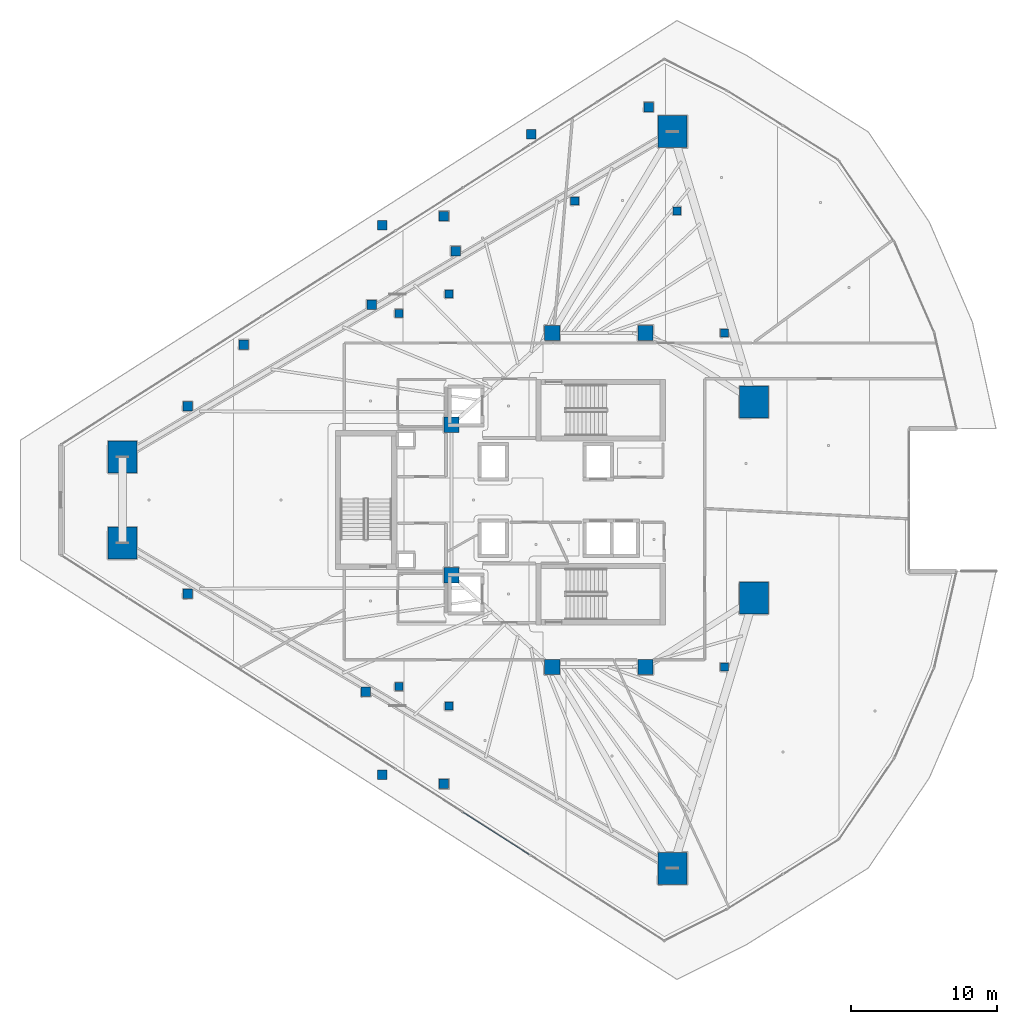
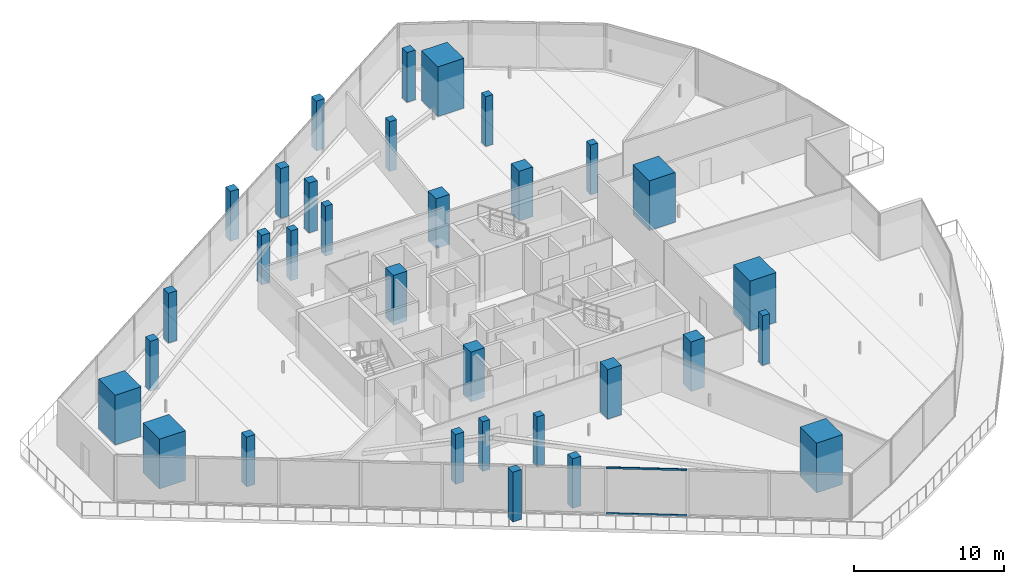
# One storey, part 1 of 40: 32 columns, 2 members, 1 element without a shape of its own.
"""IFC4 building model written with IfcOpenShell, lengths in metres."""

from ifc_helpers import new_model, si_unit, direction, frame, origin, origin_2d, place, context, subcontext, project, spatial, rectangle, hollow_rectangle, extrude, material, layer, layer_set, material_profile, profile_set, type_object, element, aggregate, save


model = new_model("IFC4")

# Units and contexts
model_context = context("Model", 3, precision=1e-05, world=origin(), true_north=direction((0.0, 1.0)))
body_context = subcontext(model_context, "Body", "Model", "MODEL_VIEW")
ifc_project = project(units=[si_unit("LENGTHUNIT", "METRE"), si_unit("AREAUNIT", "SQUARE_METRE"), si_unit("VOLUMEUNIT", "CUBIC_METRE"), si_unit("PLANEANGLEUNIT", "RADIAN"), si_unit("MASSUNIT", "GRAM", prefix="KILO")], contexts=[model_context])

# Site, building, storey
site_placement = place(None, origin())
site = spatial("IfcSite", under=ifc_project, at=site_placement, CompositionType="ELEMENT")
building_placement = place(site_placement, origin())
building = spatial("IfcBuilding", under=site, at=building_placement, Name="Qorvath Tower", CompositionType="ELEMENT")
storey_placement = place(building_placement, frame((0.0, 0.0, 138.14990234375)))
storey = spatial("IfcBuildingStorey", under=building, at=storey_placement, Name="L31", CompositionType="ELEMENT", Elevation=138.14990234375)

# Columns
ifc_material_1 = material(Name="Concrete C70/85", Category="concrete")
ifc_material_profile_1 = material_profile(ifc_material_1, rectangle(XDim=2.0, YDim=2.199951171875, at=origin_2d()), Name="MC 2200x2000")
ifc_profile_set_1 = profile_set([ifc_material_profile_1], Name="Concrete C70/85")
column_type_1 = type_object("IfcColumnType", Name="COL-MC2", PredefinedType="COLUMN", material=ifc_profile_set_1)
for number, where, z_axis, x_axis, name in (
    (1, (-53.04931640625, 2.95068359375, 0.0), (0.0, 0.0, 1.0), (1.0, 0.0, 0.0), "Composite Mega-Column MC1 L31"),
    (2, (-53.04931640625, -2.95068359375, 0.0), (0.0, 0.0, 1.0), (1.0, 0.0, 0.0), "Composite Mega-Column MC2 L31"),
    (3, (-15.34423828125, -25.24609375, 0.0), (0.0, 0.0, 1.0), (1.0, 0.0, 0.0), "Composite Mega-Column MC3 L31"),
    (4, (-9.770263671875, -6.721435546875, 0.0), (0.0, 0.0, 1.0), (1.0, 0.0, 0.0), "Composite Mega-Column MC4 L31"),
    (5, (-9.770263671875, 6.721435546875, 0.0), (0.0, 0.0, 1.0), (1.0, 0.0, 0.0), "Composite Mega-Column MC5 L31"),
    (6, (-15.34423828125, 25.24609375, 0.0), (0.0, 0.0, 1.0), (1.0, 0.0, 0.0), "Composite Mega-Column MC6 L31"),
):
    element("IfcColumn", number, at=place(storey_placement, frame(where, z_axis=z_axis, x_axis=x_axis)), inside=storey, type_object=column_type_1, Name=name, PredefinedType="COLUMN", context=body_context, shape_type="SweptSolid", body=[
        extrude(rectangle(XDim=2.0, YDim=2.199951171875, at=origin_2d()), origin(), (0.0, 0.0, 1.0), 4.050048828125),
    ])
ifc_material_2 = material(Name="Concrete C60/75", Category="concrete")
ifc_material_profile_2 = material_profile(ifc_material_2, rectangle(XDim=1.050048828125, YDim=1.050048828125, at=origin_2d()), Name="RC 1050x1050")
ifc_profile_set_2 = profile_set([ifc_material_profile_2], Name="Concrete C60/75")
column_type_2 = type_object("IfcColumnType", Name="COL-RC2", PredefinedType="COLUMN", material=ifc_profile_set_2)
for number, where, z_axis, x_axis, name in (
    (7, (-23.60009765625, 11.449951171875, 0.0), (0.0, 0.0, 1.0), (1.0, 0.0, 0.0), "Core Spine Column CC1 L31"),
    (8, (-17.199951171875, 11.449951171875, 0.0), (0.0, 0.0, 1.0), (1.0, 0.0, 0.0), "Core Spine Column CC2 L31"),
    (9, (-17.199951171875, -11.449951171875, 0.0), (0.0, 0.0, 1.0), (1.0, 0.0, 0.0), "Core Spine Column CC3 L31"),
    (10, (-23.60009765625, -11.449951171875, 0.0), (0.0, 0.0, 1.0), (1.0, 0.0, 0.0), "Core Spine Column CC4 L31"),
    (11, (-30.5, 5.14990234375, 0.0), (0.0, 0.0, 1.0), (1.0, 0.0, 0.0), "Core Spine Column CC5 L31"),
    (12, (-30.5, -5.14990234375, 0.0), (0.0, 0.0, 1.0), (1.0, 0.0, 0.0), "Core Spine Column CC6 L31"),
):
    element("IfcColumn", number, at=place(storey_placement, frame(where, z_axis=z_axis, x_axis=x_axis)), inside=storey, type_object=column_type_2, Name=name, PredefinedType="COLUMN", context=body_context, shape_type="SweptSolid", body=[
        extrude(rectangle(XDim=1.050048828125, YDim=1.050048828125, at=origin_2d()), origin(), (0.0, 0.0, 1.0), 4.050048828125),
    ])
ifc_material_3 = material(Name="Concrete C45/55", Category="concrete")
ifc_material_profile_3 = material_profile(ifc_material_3, rectangle(XDim=0.64990234375, YDim=0.64990234375, at=origin_2d()), Name="RC 650x650")
ifc_profile_set_3 = profile_set([ifc_material_profile_3], Name="Concrete C45/55")
column_type_3 = type_object("IfcColumnType", Name="COL-RC6", PredefinedType="COLUMN", material=ifc_profile_set_3)
for number, where, z_axis, x_axis, name in (
    (13, (-35.251708984375, 18.829345703125, 0.0), (0.0, 0.0, 1.0), (1.0, 0.0, 0.0), "Loggia Frame Pier Column LGC1 L31"),
    (14, (-35.251708984375, -18.829345703125, 0.0), (0.0, 0.0, 1.0), (1.0, 0.0, 0.0), "Loggia Frame Pier Column LGC2 L31"),
    (15, (-25.03759765625, 25.058837890625, 0.0), (0.0, 0.0, 1.0), (1.0, 0.0, 0.0), "Loggia Frame Pier Column LGC3 L31"),
    (16, (-31.01611328125, 19.46044921875, 0.0), (0.0, 0.0, 1.0), (1.0, 0.0, 0.0), "Loggia Frame Pier Column LGD1 L31"),
    (17, (-31.01611328125, -19.46044921875, 0.0), (0.0, 0.0, 1.0), (1.0, 0.0, 0.0), "Loggia Frame Pier Column LGD2 L31"),
    (18, (-44.736328125, 10.65234375, 0.0), (0.0, 0.0, 1.0), (1.0, 0.0, 0.0), "Loggia Frame Pier Column LGD3 L31"),
    (19, (-48.578369140625, 6.424560546875, 0.0), (0.0, 0.0, 1.0), (1.0, 0.0, 0.0), "Loggia Frame Pier Column LGE1 L31"),
    (20, (-48.578369140625, -6.424560546875, 0.0), (0.0, 0.0, 1.0), (1.0, 0.0, 0.0), "Loggia Frame Pier Column LGE2 L31"),
    (21, (-16.981201171875, 26.92919921875, 0.0), (0.0, 0.0, 1.0), (1.0, 0.0, 0.0), "Loggia Frame Pier Column LGE3 L31"),
    (22, (-35.980712890625, 13.380859375, 0.0), (0.0, 0.0, 1.0), (1.0, 0.0, 0.0), "Loggia Frame Pier Column LGF1 L31"),
    (23, (-36.36474609375, -13.135498046875, 0.0), (0.0, 0.0, 1.0), (1.0, 0.0, 0.0), "Loggia Frame Pier Column LGF2 L31"),
    (24, (-30.224853515625, 17.0595703125, 0.0), (0.0, 0.0, 1.0), (1.0, 0.0, 0.0), "Loggia Frame Pier Column LGF3 L31"),
):
    element("IfcColumn", number, at=place(storey_placement, frame(where, z_axis=z_axis, x_axis=x_axis)), inside=storey, type_object=column_type_3, Name=name, PredefinedType="COLUMN", context=body_context, shape_type="SweptSolid", body=[
        extrude(rectangle(XDim=0.64990234375, YDim=0.64990234375, at=origin_2d()), origin(), (0.0, 0.0, 1.0), 4.050048828125),
    ])
ifc_material_4 = material(Name="Concrete C45/55", Category="concrete")
ifc_material_profile_4 = material_profile(ifc_material_4, rectangle(XDim=0.550048828125, YDim=0.550048828125, at=origin_2d()), Name="RC 550x550")
ifc_profile_set_4 = profile_set([ifc_material_profile_4], Name="Concrete C45/55")
column_type_4 = type_object("IfcColumnType", Name="COL-RC7", PredefinedType="COLUMN", material=ifc_profile_set_4)
for number, where, z_axis, x_axis, name in (
    (25, (-34.104248046875, 12.79248046875, 0.0), (0.0, 0.0, 1.0), (1.0, 0.0, 0.0), "Loggia Frame Pier Column LGG1 L31"),
    (26, (-34.104248046875, -12.79248046875, 0.0), (0.0, 0.0, 1.0), (1.0, 0.0, 0.0), "Loggia Frame Pier Column LGG2 L31"),
    (27, (-22.05322265625, 20.494873046875, 0.0), (0.0, 0.0, 1.0), (1.0, 0.0, 0.0), "Loggia Frame Pier Column LGG3 L31"),
    (28, (-30.67724609375, 14.124267578125, 0.0), (0.0, 0.0, 1.0), (1.0, 0.0, 0.0), "Loggia Frame Pier Column LGH1 L31"),
    (29, (-30.67724609375, -14.124267578125, 0.0), (0.0, 0.0, 1.0), (1.0, 0.0, 0.0), "Loggia Frame Pier Column LGH2 L31"),
    (30, (-15.046142578125, 19.818115234375, 0.0), (0.0, 0.0, 1.0), (1.0, 0.0, 0.0), "Loggia Frame Pier Column LGH3 L31"),
    (31, (-11.800048828125, -11.449951171875, 0.0), (0.0, 0.0, 1.0), (1.0, 0.0, 0.0), "Central Slot Jamb Column SC1 L31"),
    (32, (-11.800048828125, 11.449951171875, 0.0), (0.0, 0.0, 1.0), (1.0, 0.0, 0.0), "Central Slot Jamb Column SC2 L31"),
):
    element("IfcColumn", number, at=place(storey_placement, frame(where, z_axis=z_axis, x_axis=x_axis)), inside=storey, type_object=column_type_4, Name=name, PredefinedType="COLUMN", context=body_context, shape_type="SweptSolid", body=[
        extrude(rectangle(XDim=0.550048828125, YDim=0.550048828125, at=origin_2d()), origin(), (0.0, 0.0, 1.0), 4.050048828125),
    ])

# Curtain wall, members
ifc_material_5 = material(Name="Anodised aluminium and triple low-E glass", Category="aluminium")
ifc_layer = layer(ifc_material_5, 0.179931640625)
ifc_layer_set = layer_set([ifc_layer], Name="CW-SYS-3")
curtain_wall_type = type_object("IfcCurtainWallType", Name="CW-SYS-3", PredefinedType="NOTDEFINED", material=ifc_layer_set)
curtain_wall_placement = place(storey_placement, origin())
curtain_wall = element("IfcCurtainWall", 33, at=curtain_wall_placement, inside=storey, type_object=curtain_wall_type, Name="Curtain Wall CW-3 CW-T-L31-2.1", PredefinedType="NOTDEFINED")
ifc_material_6 = material(Name="Anodised aluminium 6063-T6", Category="aluminium")
ifc_material_profile_5 = material_profile(ifc_material_6, hollow_rectangle(XDim=0.06494140625, YDim=0.159912109375, WallThickness=0.00341796875, InnerFilletRadius=0.00341796875, OuterFilletRadius=0.007080078125, at=origin_2d()), Name="CWT 160x65")
ifc_profile_set_5 = profile_set([ifc_material_profile_5], Name="Anodised aluminium 6063-T6")
member_type = type_object("IfcMemberType", Name="CWT-160", PredefinedType="USERDEFINED", material=ifc_profile_set_5)
member_1_placement = place(storey_placement, frame((-29.688720703125, -21.41455078125, 0.032470703125), z_axis=(0.842602030071, -0.538536738691, 0.0), x_axis=(0.538536738691, 0.842602030071, 0.0)))
member_1 = element("IfcMember", 34, at=member_1_placement, type_object=member_type, Name="CW-3 transom 7.1", ObjectType="TRANSOM", PredefinedType="USERDEFINED", context=body_context, shape_type="SweptSolid", body=[
    extrude(hollow_rectangle(XDim=0.06494140625, YDim=0.159912109375, WallThickness=0.00341796875, InnerFilletRadius=0.00341796875, OuterFilletRadius=0.007080078125, at=origin_2d()), origin(), (0.0, 0.0, 1.0), 5.388427734375),
])
member_2_placement = place(storey_placement, frame((-29.688720703125, -21.41455078125, 3.74755859375), z_axis=(0.842602030071, -0.538536738691, 0.0), x_axis=(0.538536738691, 0.842602030071, 0.0)))
member_2 = element("IfcMember", 35, at=member_2_placement, type_object=member_type, Name="CW-3 transom 7.2", ObjectType="TRANSOM", PredefinedType="USERDEFINED", context=body_context, shape_type="SweptSolid", body=[
    extrude(hollow_rectangle(XDim=0.06494140625, YDim=0.159912109375, WallThickness=0.00341796875, InnerFilletRadius=0.00341796875, OuterFilletRadius=0.007080078125, at=origin_2d()), origin(), (0.0, 0.0, 1.0), 5.388427734375),
])
aggregate(curtain_wall, [member_1, member_2])

save(model, "model.ifc")
